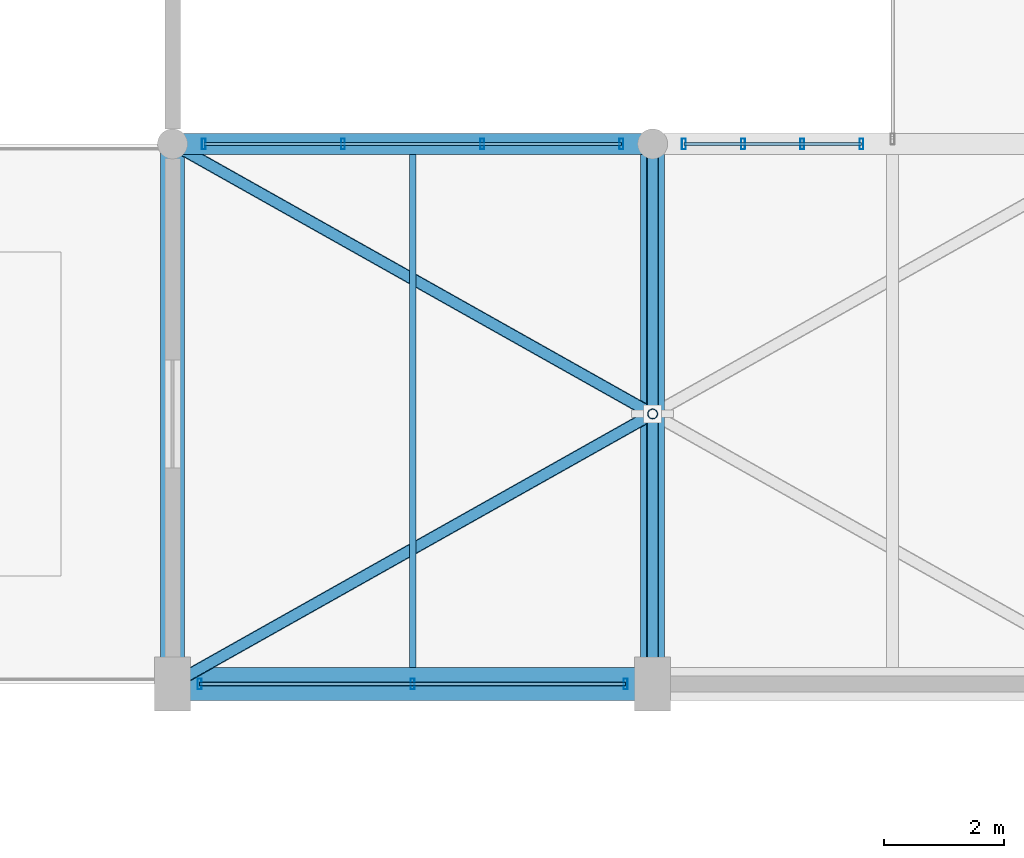
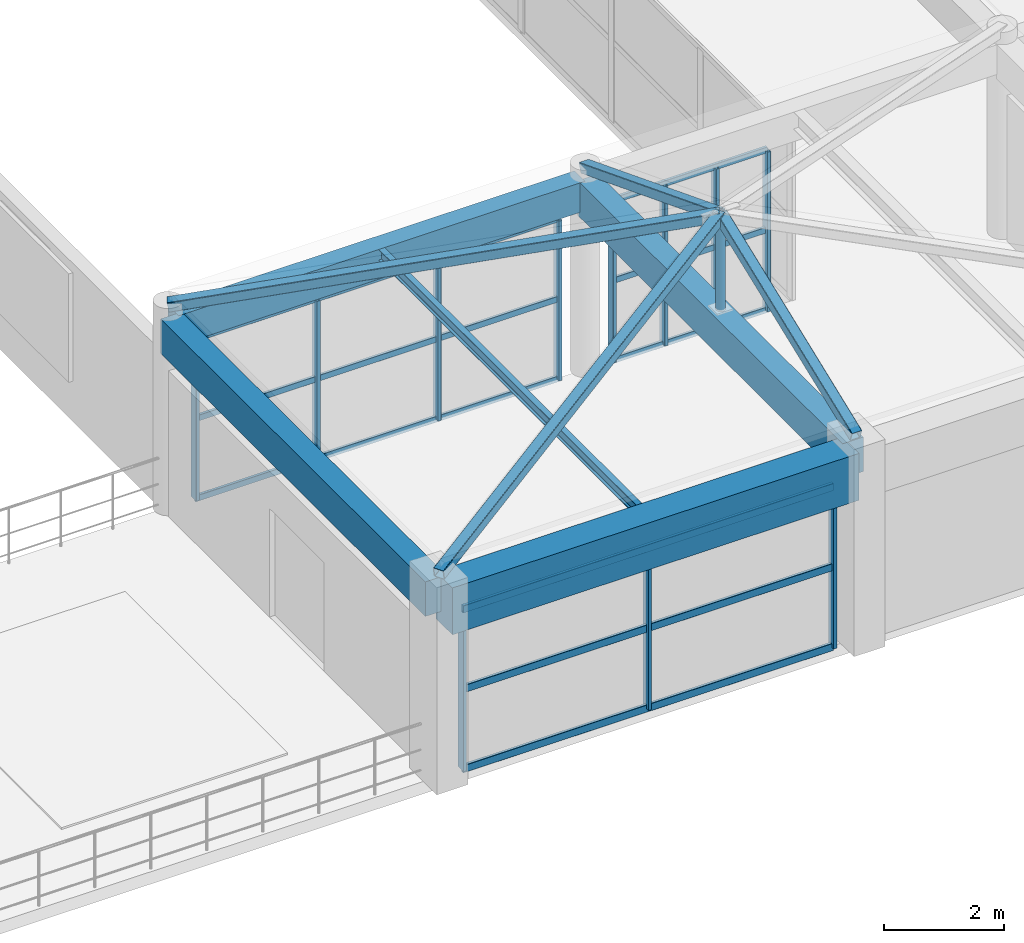
# One storey, part 28 of 63: 25 members, 5 beams, 3 elements without a shape of their own.
"""IFC4 building model written with IfcOpenShell, lengths in metres."""

from ifc_helpers import new_model, si_unit, direction, frame, origin, origin_2d, place, context, subcontext, project, spatial, rectangle, hollow_rectangle, hollow_circle, i_section, extrude, material, material_profile, profile_set, type_object, element, aggregate, save


model = new_model("IFC4")

# Units and contexts
model_context = context("Model", 3, precision=1e-05, world=origin(), true_north=direction((0.0, 1.0)))
body_context = subcontext(model_context, "Body", "Model", "MODEL_VIEW")
ifc_project = project(units=[si_unit("LENGTHUNIT", "METRE"), si_unit("AREAUNIT", "SQUARE_METRE"), si_unit("VOLUMEUNIT", "CUBIC_METRE"), si_unit("PLANEANGLEUNIT", "RADIAN"), si_unit("MASSUNIT", "GRAM", prefix="KILO")], contexts=[model_context])

# Site, building, storey
site_placement = place(None, origin())
site = spatial("IfcSite", under=ifc_project, at=site_placement, CompositionType="ELEMENT")
building_placement = place(site_placement, origin())
building = spatial("IfcBuilding", under=site, at=building_placement, Name="Varnabhumi Central Station", CompositionType="ELEMENT")
storey_placement = place(building_placement, frame((0.0, 0.0, 20.39990234375)))
storey = spatial("IfcBuildingStorey", under=building, at=storey_placement, Name="L04", CompositionType="ELEMENT", Elevation=20.39990234375)

# Beams
ifc_material_1 = material(Name="Concrete M40", Category="concrete")
ifc_material_profile_1 = material_profile(ifc_material_1, rectangle(XDim=0.35009765625, YDim=0.60009765625, at=origin_2d()), Name="Concrete M40", Category="concrete")
ifc_profile_set_1 = profile_set([ifc_material_profile_1], Name="Concrete M40")
beam_type_1 = type_object("IfcBeamType", Name="BM-RC-350x600", PredefinedType="BEAM", material=ifc_profile_set_1)
beam_1_placement = place(storey_placement, frame((64.10009765625, 89.0, 3.650146484375), z_axis=(1.0, 0.0, 0.0), x_axis=(0.0, 1.0, 0.0)))
element("IfcBeam", 1, at=beam_1_placement, inside=storey, type_object=beam_type_1, Name="Beam L04-L:9-10", PredefinedType="BEAM", context=body_context, shape_type="SweptSolid", body=[
    extrude(rectangle(XDim=0.35009765625, YDim=0.60009765625, at=origin_2d()), origin(), (0.0, 0.0, 1.0), 7.7998046875),
])
ifc_material_profile_2 = material_profile(ifc_material_1, rectangle(XDim=0.550048828125, YDim=0.949951171875, at=origin_2d()), Name="Concrete M40", Category="concrete")
ifc_profile_set_2 = profile_set([ifc_material_profile_2], Name="Concrete M40")
beam_type_2 = type_object("IfcBeamType", Name="BM-RC-550x950", PredefinedType="BEAM", material=ifc_profile_set_2)
beam_2_placement = place(storey_placement, frame((64.10009765625, 80.0, 3.47509765625), z_axis=(1.0, 0.0, 0.0), x_axis=(0.0, 1.0, 0.0)))
element("IfcBeam", 2, at=beam_2_placement, inside=storey, type_object=beam_type_2, Name="Beam L04-K:9-10", PredefinedType="BEAM", context=body_context, shape_type="SweptSolid", body=[
    extrude(rectangle(XDim=0.550048828125, YDim=0.949951171875, at=origin_2d()), origin(), (0.0, 0.0, 1.0), 7.7998046875),
])
ifc_material_profile_3 = material_profile(ifc_material_1, rectangle(XDim=0.39990234375, YDim=0.699951171875, at=origin_2d()), Name="Concrete M40", Category="concrete")
ifc_profile_set_3 = profile_set([ifc_material_profile_3], Name="Concrete M40")
beam_type_3 = type_object("IfcBeamType", Name="BM-RC-700x400", PredefinedType="BEAM", material=ifc_profile_set_3)
for number, where, z_axis, x_axis, name in (
    (3, (64.0, 80.10009765625, 3.60009765625), (0.0, 1.0, 0.0), (-1.0, 0.0, 0.0), "Beam L04-9:K-L"),
    (4, (72.0, 80.10009765625, 3.60009765625), (0.0, 1.0, 0.0), (-1.0, 0.0, 0.0), "Beam L04-10:K-L"),
):
    element("IfcBeam", number, at=place(storey_placement, frame(where, z_axis=z_axis, x_axis=x_axis)), inside=storey, type_object=beam_type_3, Name=name, PredefinedType="BEAM", context=body_context, shape_type="SweptSolid", body=[
        extrude(rectangle(XDim=0.39990234375, YDim=0.699951171875, at=origin_2d()), origin(), (0.0, 0.0, 1.0), 8.7998046875),
    ])
ifc_material_2 = material(Name="Structural steel E350", Category="steel")
ifc_material_profile_4 = material_profile(ifc_material_2, i_section(OverallWidth=0.110107421875, OverallDepth=0.22509765625, WebThickness=0.006591796875, FlangeThickness=0.01171875, FilletRadius=0.011962890625, at=origin_2d()), Name="Structural steel E350", Category="steel")
ifc_profile_set_4 = profile_set([ifc_material_profile_4], Name="Structural steel E350")
beam_type_4 = type_object("IfcBeamType", Name="BM-STL-ISMB225", PredefinedType="JOIST", material=ifc_profile_set_4)
beam_3_placement = place(storey_placement, frame((68.0, 80.27490234375, 3.837646484375), z_axis=(0.0, 1.0, 0.0), x_axis=(-1.0, 0.0, 0.0)))
element("IfcBeam", 5, at=beam_3_placement, inside=storey, type_object=beam_type_4, Name="Secondary Joist L04-9/10:K-L", PredefinedType="JOIST", context=body_context, shape_type="SweptSolid", body=[
    extrude(i_section(OverallWidth=0.110107421875, OverallDepth=0.22509765625, WebThickness=0.006591796875, FlangeThickness=0.01171875, FilletRadius=0.011962890625, at=origin_2d()), origin(), (0.0, 0.0, 1.0), 8.550048828125),
])

# Curtain wall, members
ifc_material_3 = material(Name="Anodised aluminium 6063-T6", Category="aluminium")
curtain_wall_type_1 = type_object("IfcCurtainWallType", Name="CW-SPINE-SCREEN-L0", PredefinedType="NOTDEFINED", material=ifc_material_3)
curtain_wall_1_placement = place(storey_placement, origin())
curtain_wall_1 = element("IfcCurtainWall", 6, at=curtain_wall_1_placement, inside=storey, type_object=curtain_wall_type_1, Name="Curtain Wall CW-NS400", PredefinedType="NOTDEFINED")
ifc_material_profile_5 = material_profile(ifc_material_3, hollow_rectangle(XDim=0.06494140625, YDim=0.179931640625, WallThickness=0.00390625, InnerFilletRadius=0.001953125, OuterFilletRadius=0.006103515625, at=origin_2d()), Name="Anodised aluminium 6063-T6", Category="aluminium")
ifc_profile_set_5 = profile_set([ifc_material_profile_5], Name="Anodised aluminium 6063-T6")
member_type_1 = type_object("IfcMemberType", Name="CW-MUL-180", PredefinedType="MULLION", material=ifc_profile_set_5)
member_1_placement = place(storey_placement, frame((64.449951171875, 80.0, 0.0), z_axis=(0.0, 0.0, 1.0), x_axis=(1.0, 0.0, 0.0)))
member_1 = element("IfcMember", 7, at=member_1_placement, type_object=member_type_1, Name="Curtain Wall Mullion CW-NS400-M1", PredefinedType="MULLION", context=body_context, shape_type="SweptSolid", body=[
    extrude(hollow_rectangle(XDim=0.06494140625, YDim=0.179931640625, WallThickness=0.00390625, InnerFilletRadius=0.001953125, OuterFilletRadius=0.006103515625, at=origin_2d()), origin(), (0.0, 0.0, 1.0), 3.239990234375),
])
member_2_placement = place(storey_placement, frame((68.0, 80.0, 0.0), z_axis=(0.0, 0.0, 1.0), x_axis=(1.0, 0.0, 0.0)))
member_2 = element("IfcMember", 8, at=member_2_placement, type_object=member_type_1, Name="Curtain Wall Mullion CW-NS400-M2", PredefinedType="MULLION", context=body_context, shape_type="SweptSolid", body=[
    extrude(hollow_rectangle(XDim=0.06494140625, YDim=0.179931640625, WallThickness=0.00390625, InnerFilletRadius=0.001953125, OuterFilletRadius=0.006103515625, at=origin_2d()), origin(), (0.0, 0.0, 1.0), 3.239990234375),
])
member_3_placement = place(storey_placement, frame((71.550048828125, 80.0, 0.0), z_axis=(0.0, 0.0, 1.0), x_axis=(1.0, 0.0, 0.0)))
member_3 = element("IfcMember", 9, at=member_3_placement, type_object=member_type_1, Name="Curtain Wall Mullion CW-NS400-M3", PredefinedType="MULLION", context=body_context, shape_type="SweptSolid", body=[
    extrude(hollow_rectangle(XDim=0.06494140625, YDim=0.179931640625, WallThickness=0.00390625, InnerFilletRadius=0.001953125, OuterFilletRadius=0.006103515625, at=origin_2d()), origin(), (0.0, 0.0, 1.0), 3.239990234375),
])

curtain_wall_type_2 = type_object("IfcCurtainWallType", Name="CW-PATIO-LOGGIA-L3", PredefinedType="NOTDEFINED", material=ifc_material_3)
curtain_wall_2_placement = place(storey_placement, origin())
curtain_wall_2 = element("IfcCurtainWall", 10, at=curtain_wall_2_placement, inside=storey, type_object=curtain_wall_type_2, Name="Curtain Wall CW-NP4S1", PredefinedType="NOTDEFINED")
member_4_placement = place(storey_placement, frame((64.52001953125, 89.0, 0.0), z_axis=(0.0, 0.0, 1.0), x_axis=(1.0, 0.0, 0.0)))
member_4 = element("IfcMember", 11, at=member_4_placement, type_object=member_type_1, Name="Curtain Wall Mullion CW-NP4S1-M1", PredefinedType="MULLION", context=body_context, shape_type="SweptSolid", body=[
    extrude(hollow_rectangle(XDim=0.06494140625, YDim=0.179931640625, WallThickness=0.00390625, InnerFilletRadius=0.001953125, OuterFilletRadius=0.006103515625, at=origin_2d()), origin(), (0.0, 0.0, 1.0), 3.239990234375),
])
member_5_placement = place(storey_placement, frame((66.840087890625, 89.0, 0.0), z_axis=(0.0, 0.0, 1.0), x_axis=(1.0, 0.0, 0.0)))
member_5 = element("IfcMember", 12, at=member_5_placement, type_object=member_type_1, Name="Curtain Wall Mullion CW-NP4S1-M2", PredefinedType="MULLION", context=body_context, shape_type="SweptSolid", body=[
    extrude(hollow_rectangle(XDim=0.06494140625, YDim=0.179931640625, WallThickness=0.00390625, InnerFilletRadius=0.001953125, OuterFilletRadius=0.006103515625, at=origin_2d()), origin(), (0.0, 0.0, 1.0), 3.239990234375),
])
member_6_placement = place(storey_placement, frame((69.159912109375, 89.0, 0.0), z_axis=(0.0, 0.0, 1.0), x_axis=(1.0, 0.0, 0.0)))
member_6 = element("IfcMember", 13, at=member_6_placement, type_object=member_type_1, Name="Curtain Wall Mullion CW-NP4S1-M3", PredefinedType="MULLION", context=body_context, shape_type="SweptSolid", body=[
    extrude(hollow_rectangle(XDim=0.06494140625, YDim=0.179931640625, WallThickness=0.00390625, InnerFilletRadius=0.001953125, OuterFilletRadius=0.006103515625, at=origin_2d()), origin(), (0.0, 0.0, 1.0), 3.239990234375),
])
member_7_placement = place(storey_placement, frame((71.47998046875, 89.0, 0.0), z_axis=(0.0, 0.0, 1.0), x_axis=(1.0, 0.0, 0.0)))
member_7 = element("IfcMember", 14, at=member_7_placement, type_object=member_type_1, Name="Curtain Wall Mullion CW-NP4S1-M4", PredefinedType="MULLION", context=body_context, shape_type="SweptSolid", body=[
    extrude(hollow_rectangle(XDim=0.06494140625, YDim=0.179931640625, WallThickness=0.00390625, InnerFilletRadius=0.001953125, OuterFilletRadius=0.006103515625, at=origin_2d()), origin(), (0.0, 0.0, 1.0), 3.239990234375),
])

curtain_wall_3_placement = place(storey_placement, origin())
curtain_wall_3 = element("IfcCurtainWall", 15, at=curtain_wall_3_placement, inside=storey, type_object=curtain_wall_type_2, Name="Curtain Wall CW-NP4S2", PredefinedType="NOTDEFINED")
member_8_placement = place(storey_placement, frame((72.52001953125, 89.0, 0.0), z_axis=(0.0, 0.0, 1.0), x_axis=(1.0, 0.0, 0.0)))
member_8 = element("IfcMember", 16, at=member_8_placement, type_object=member_type_1, Name="Curtain Wall Mullion CW-NP4S2-M1", PredefinedType="MULLION", context=body_context, shape_type="SweptSolid", body=[
    extrude(hollow_rectangle(XDim=0.06494140625, YDim=0.179931640625, WallThickness=0.00390625, InnerFilletRadius=0.001953125, OuterFilletRadius=0.006103515625, at=origin_2d()), origin(), (0.0, 0.0, 1.0), 3.239990234375),
])
member_9_placement = place(storey_placement, frame((73.506591796875, 89.0, 0.0), z_axis=(0.0, 0.0, 1.0), x_axis=(1.0, 0.0, 0.0)))
member_9 = element("IfcMember", 17, at=member_9_placement, type_object=member_type_1, Name="Curtain Wall Mullion CW-NP4S2-M2", PredefinedType="MULLION", context=body_context, shape_type="SweptSolid", body=[
    extrude(hollow_rectangle(XDim=0.06494140625, YDim=0.179931640625, WallThickness=0.00390625, InnerFilletRadius=0.001953125, OuterFilletRadius=0.006103515625, at=origin_2d()), origin(), (0.0, 0.0, 1.0), 3.239990234375),
])
member_10_placement = place(storey_placement, frame((74.493408203125, 89.0, 0.0), z_axis=(0.0, 0.0, 1.0), x_axis=(1.0, 0.0, 0.0)))
member_10 = element("IfcMember", 18, at=member_10_placement, type_object=member_type_1, Name="Curtain Wall Mullion CW-NP4S2-M3", PredefinedType="MULLION", context=body_context, shape_type="SweptSolid", body=[
    extrude(hollow_rectangle(XDim=0.06494140625, YDim=0.179931640625, WallThickness=0.00390625, InnerFilletRadius=0.001953125, OuterFilletRadius=0.006103515625, at=origin_2d()), origin(), (0.0, 0.0, 1.0), 3.239990234375),
])
member_11_placement = place(storey_placement, frame((75.47998046875, 89.0, 0.0), z_axis=(0.0, 0.0, 1.0), x_axis=(1.0, 0.0, 0.0)))
member_11 = element("IfcMember", 19, at=member_11_placement, type_object=member_type_1, Name="Curtain Wall Mullion CW-NP4S2-M4", PredefinedType="MULLION", context=body_context, shape_type="SweptSolid", body=[
    extrude(hollow_rectangle(XDim=0.06494140625, YDim=0.179931640625, WallThickness=0.00390625, InnerFilletRadius=0.001953125, OuterFilletRadius=0.006103515625, at=origin_2d()), origin(), (0.0, 0.0, 1.0), 3.239990234375),
])

# Member
ifc_material_profile_6 = material_profile(ifc_material_3, hollow_rectangle(XDim=0.054931640625, YDim=0.1201171875, WallThickness=0.00341796875, InnerFilletRadius=0.00146484375, OuterFilletRadius=0.0048828125, at=origin_2d()), Name="Anodised aluminium 6063-T6", Category="aluminium")
ifc_profile_set_6 = profile_set([ifc_material_profile_6], Name="Anodised aluminium 6063-T6")
member_type_2 = type_object("IfcMemberType", Name="CW-TR-120", PredefinedType="USERDEFINED", material=ifc_profile_set_6)
member_12_placement = place(storey_placement, frame((64.52001953125, 89.0, 0.0), z_axis=(1.0, 0.0, 0.0), x_axis=(0.0, 1.0, 0.0)))
member_12 = element("IfcMember", 20, at=member_12_placement, type_object=member_type_2, Name="Curtain Wall Transom CW-NP4S1-T1", ObjectType="TRANSOM", PredefinedType="USERDEFINED", context=body_context, shape_type="SweptSolid", body=[
    extrude(hollow_rectangle(XDim=0.054931640625, YDim=0.1201171875, WallThickness=0.00341796875, InnerFilletRadius=0.00146484375, OuterFilletRadius=0.0048828125, at=origin_2d()), origin(), (0.0, 0.0, 1.0), 6.9599609375),
])

member_13_placement = place(storey_placement, frame((64.52001953125, 89.0, 1.6201171875), z_axis=(1.0, 0.0, 0.0), x_axis=(0.0, 1.0, 0.0)))
member_13 = element("IfcMember", 21, at=member_13_placement, type_object=member_type_2, Name="Curtain Wall Transom CW-NP4S1-T2", ObjectType="TRANSOM", PredefinedType="USERDEFINED", context=body_context, shape_type="SweptSolid", body=[
    extrude(hollow_rectangle(XDim=0.054931640625, YDim=0.1201171875, WallThickness=0.00341796875, InnerFilletRadius=0.00146484375, OuterFilletRadius=0.0048828125, at=origin_2d()), origin(), (0.0, 0.0, 1.0), 6.9599609375),
])

member_14_placement = place(storey_placement, frame((64.52001953125, 89.0, 3.239990234375), z_axis=(1.0, 0.0, 0.0), x_axis=(0.0, 1.0, 0.0)))
member_14 = element("IfcMember", 22, at=member_14_placement, type_object=member_type_2, Name="Curtain Wall Transom CW-NP4S1-T3", ObjectType="TRANSOM", PredefinedType="USERDEFINED", context=body_context, shape_type="SweptSolid", body=[
    extrude(hollow_rectangle(XDim=0.054931640625, YDim=0.1201171875, WallThickness=0.00341796875, InnerFilletRadius=0.00146484375, OuterFilletRadius=0.0048828125, at=origin_2d()), origin(), (0.0, 0.0, 1.0), 6.9599609375),
])

aggregate(curtain_wall_2, [member_4, member_5, member_6, member_7, member_12, member_13, member_14])

member_15_placement = place(storey_placement, frame((72.52001953125, 89.0, 0.0), z_axis=(1.0, 0.0, 0.0), x_axis=(0.0, 1.0, 0.0)))
member_15 = element("IfcMember", 23, at=member_15_placement, type_object=member_type_2, Name="Curtain Wall Transom CW-NP4S2-T1", ObjectType="TRANSOM", PredefinedType="USERDEFINED", context=body_context, shape_type="SweptSolid", body=[
    extrude(hollow_rectangle(XDim=0.054931640625, YDim=0.1201171875, WallThickness=0.00341796875, InnerFilletRadius=0.00146484375, OuterFilletRadius=0.0048828125, at=origin_2d()), origin(), (0.0, 0.0, 1.0), 2.9599609375),
])

member_16_placement = place(storey_placement, frame((72.52001953125, 89.0, 1.6201171875), z_axis=(1.0, 0.0, 0.0), x_axis=(0.0, 1.0, 0.0)))
member_16 = element("IfcMember", 24, at=member_16_placement, type_object=member_type_2, Name="Curtain Wall Transom CW-NP4S2-T2", ObjectType="TRANSOM", PredefinedType="USERDEFINED", context=body_context, shape_type="SweptSolid", body=[
    extrude(hollow_rectangle(XDim=0.054931640625, YDim=0.1201171875, WallThickness=0.00341796875, InnerFilletRadius=0.00146484375, OuterFilletRadius=0.0048828125, at=origin_2d()), origin(), (0.0, 0.0, 1.0), 2.9599609375),
])

member_17_placement = place(storey_placement, frame((72.52001953125, 89.0, 3.239990234375), z_axis=(1.0, 0.0, 0.0), x_axis=(0.0, 1.0, 0.0)))
member_17 = element("IfcMember", 25, at=member_17_placement, type_object=member_type_2, Name="Curtain Wall Transom CW-NP4S2-T3", ObjectType="TRANSOM", PredefinedType="USERDEFINED", context=body_context, shape_type="SweptSolid", body=[
    extrude(hollow_rectangle(XDim=0.054931640625, YDim=0.1201171875, WallThickness=0.00341796875, InnerFilletRadius=0.00146484375, OuterFilletRadius=0.0048828125, at=origin_2d()), origin(), (0.0, 0.0, 1.0), 2.9599609375),
])

aggregate(curtain_wall_3, [member_8, member_9, member_10, member_11, member_15, member_16, member_17])

ifc_material_profile_7 = material_profile(ifc_material_3, hollow_rectangle(XDim=0.06005859375, YDim=0.14990234375, WallThickness=0.00390625, InnerFilletRadius=0.001953125, OuterFilletRadius=0.006103515625, at=origin_2d()), Name="Anodised aluminium 6063-T6", Category="aluminium")
ifc_profile_set_7 = profile_set([ifc_material_profile_7], Name="Anodised aluminium 6063-T6")
member_type_3 = type_object("IfcMemberType", Name="CW-TR-150", PredefinedType="USERDEFINED", material=ifc_profile_set_7)
member_18_placement = place(storey_placement, frame((64.449951171875, 80.0, 0.0), z_axis=(1.0, 0.0, 0.0), x_axis=(0.0, 1.0, 0.0)))
member_18 = element("IfcMember", 26, at=member_18_placement, type_object=member_type_3, Name="Curtain Wall Transom CW-NS400-T1", ObjectType="TRANSOM", PredefinedType="USERDEFINED", context=body_context, shape_type="SweptSolid", body=[
    extrude(hollow_rectangle(XDim=0.06005859375, YDim=0.14990234375, WallThickness=0.00390625, InnerFilletRadius=0.001953125, OuterFilletRadius=0.006103515625, at=origin_2d()), origin(), (0.0, 0.0, 1.0), 7.10009765625),
])

member_19_placement = place(storey_placement, frame((64.449951171875, 80.0, 1.6201171875), z_axis=(1.0, 0.0, 0.0), x_axis=(0.0, 1.0, 0.0)))
member_19 = element("IfcMember", 27, at=member_19_placement, type_object=member_type_3, Name="Curtain Wall Transom CW-NS400-T2", ObjectType="TRANSOM", PredefinedType="USERDEFINED", context=body_context, shape_type="SweptSolid", body=[
    extrude(hollow_rectangle(XDim=0.06005859375, YDim=0.14990234375, WallThickness=0.00390625, InnerFilletRadius=0.001953125, OuterFilletRadius=0.006103515625, at=origin_2d()), origin(), (0.0, 0.0, 1.0), 7.10009765625),
])

member_20_placement = place(storey_placement, frame((64.449951171875, 80.0, 3.239990234375), z_axis=(1.0, 0.0, 0.0), x_axis=(0.0, 1.0, 0.0)))
member_20 = element("IfcMember", 28, at=member_20_placement, type_object=member_type_3, Name="Curtain Wall Transom CW-NS400-T3", ObjectType="TRANSOM", PredefinedType="USERDEFINED", context=body_context, shape_type="SweptSolid", body=[
    extrude(hollow_rectangle(XDim=0.06005859375, YDim=0.14990234375, WallThickness=0.00390625, InnerFilletRadius=0.001953125, OuterFilletRadius=0.006103515625, at=origin_2d()), origin(), (0.0, 0.0, 1.0), 7.10009765625),
])

aggregate(curtain_wall_1, [member_1, member_2, member_3, member_18, member_19, member_20])

# Members
ifc_material_profile_8 = material_profile(ifc_material_2, hollow_rectangle(XDim=0.199951171875, YDim=0.199951171875, WallThickness=0.010009765625, InnerFilletRadius=0.010009765625, OuterFilletRadius=0.02001953125, at=origin_2d()), Name="Structural steel E350", Category="steel")
ifc_profile_set_8 = profile_set([ifc_material_profile_8], Name="Structural steel E350")
member_type_4 = type_object("IfcMemberType", Name="MBR-RAFT-SHS200", PredefinedType="RAFTER", material=ifc_profile_set_8)
for number, where, z_axis, x_axis, name in (
    (29, (64.0, 80.0, 4.110107421875), (0.856153773676, 0.481586497693, 0.187283637992), (-0.490261239633, 0.871575537125, 0.0), "Mission Roof Hip Rafter NBP5S-ES"),
    (30, (64.0, 89.0, 4.110107421875), (0.856153773676, -0.481586497693, 0.187283637992), (0.490261239633, 0.871575537125, 0.0), "Mission Roof Hip Rafter NBP5S-EN"),
):
    element("IfcMember", number, at=place(storey_placement, frame(where, z_axis=z_axis, x_axis=x_axis)), inside=storey, type_object=member_type_4, Name=name, PredefinedType="RAFTER", context=body_context, shape_type="SweptSolid", body=[
        extrude(hollow_rectangle(XDim=0.199951171875, YDim=0.199951171875, WallThickness=0.010009765625, InnerFilletRadius=0.010009765625, OuterFilletRadius=0.02001953125, at=origin_2d()), origin(), (0.0, 0.0, 1.0), 9.343994140625),
    ])
for number, where, z_axis, x_axis, name in (
    (31, (72.0, 80.0, 4.110107421875), (0.0, 0.932004671541, 0.362446261155), (-1.0, 0.0, 0.0), "Mission Roof South Rafter NBP5S-2"),
    (32, (72.0, 89.0, 4.110107421875), (0.0, -0.932004671541, 0.362446261155), (1.0, 0.0, 0.0), "Mission Roof North Rafter NBP5S-2"),
):
    element("IfcMember", number, at=place(storey_placement, frame(where, z_axis=z_axis, x_axis=x_axis)), inside=storey, type_object=member_type_4, Name=name, PredefinedType="RAFTER", context=body_context, shape_type="SweptSolid", body=[
        extrude(hollow_rectangle(XDim=0.199951171875, YDim=0.199951171875, WallThickness=0.010009765625, InnerFilletRadius=0.010009765625, OuterFilletRadius=0.02001953125, at=origin_2d()), origin(), (0.0, 0.0, 1.0), 4.828369140625),
    ])
ifc_material_profile_9 = material_profile(ifc_material_2, hollow_circle(Radius=0.084228515625, WallThickness=0.008056640625, at=origin_2d()), Name="Structural steel E350", Category="steel")
ifc_profile_set_9 = profile_set([ifc_material_profile_9], Name="Structural steel E350")
member_type_5 = type_object("IfcMemberType", Name="MBR-STRUT-CHS168", PredefinedType="STRUT", material=ifc_profile_set_9)
member_21_placement = place(storey_placement, frame((72.0, 84.5, 3.9501953125), z_axis=(0.0, 0.0, 1.0), x_axis=(1.0, 0.0, 0.0)))
element("IfcMember", 33, at=member_21_placement, inside=storey, type_object=member_type_5, Name="Mission Roof King Strut NBP5S-2", PredefinedType="STRUT", context=body_context, shape_type="SweptSolid", body=[
    extrude(hollow_circle(Radius=0.084228515625, WallThickness=0.008056640625, at=origin_2d()), origin(), (0.0, 0.0, 1.0), 1.8798828125),
])

save(model, "model.ifc")
